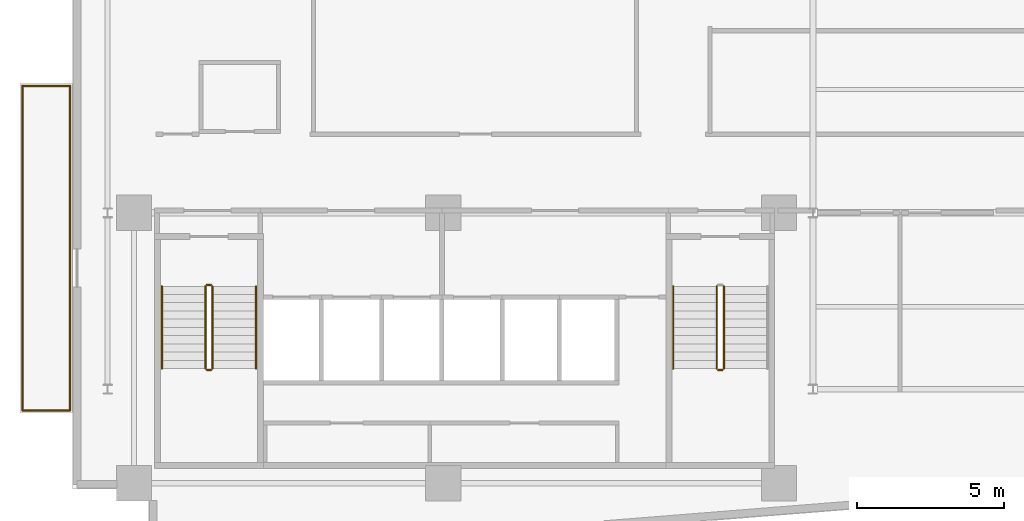
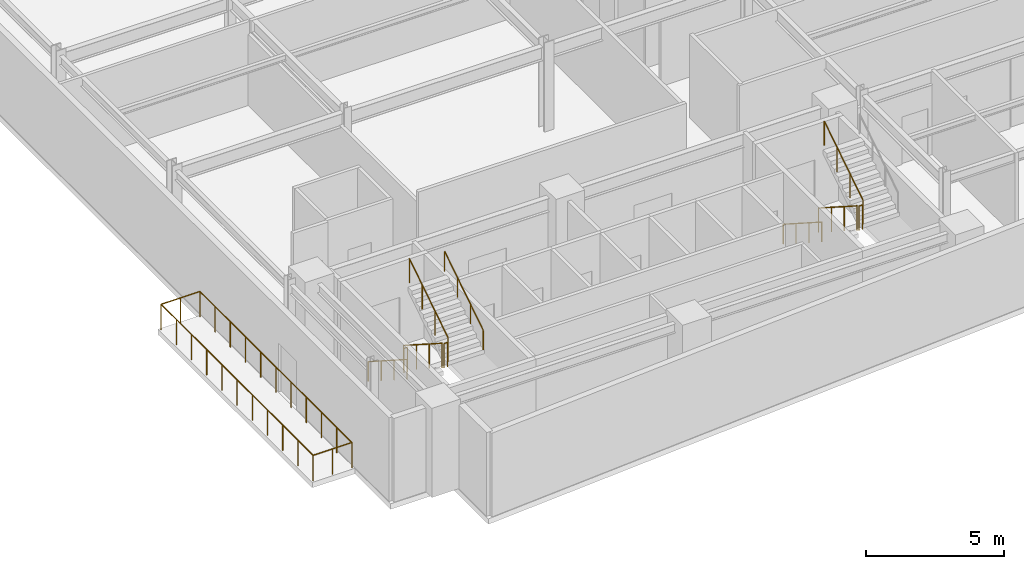
# One storey, part 14 of 18: 14 railings.
"""IFC4 building model written with IfcOpenShell, lengths in metres."""

from ifc_helpers import new_model, si_unit, direction, frame, origin, origin_2d, place, context, subcontext, project, spatial, circle, extrude, material, type_object, element, save


model = new_model("IFC4")

# Units and contexts
model_context = context("Model", 3, precision=1e-05, world=origin(), true_north=direction((0.0, 1.0)))
body_context = subcontext(model_context, "Body", "Model", "MODEL_VIEW")
ifc_project = project(units=[si_unit("LENGTHUNIT", "METRE"), si_unit("AREAUNIT", "SQUARE_METRE"), si_unit("VOLUMEUNIT", "CUBIC_METRE"), si_unit("PLANEANGLEUNIT", "RADIAN"), si_unit("MASSUNIT", "GRAM", prefix="KILO")], contexts=[model_context])

# Site, building, storey
site_placement = place(None, origin())
site = spatial("IfcSite", under=ifc_project, at=site_placement, CompositionType="ELEMENT")
building_placement = place(site_placement, origin())
building = spatial("IfcBuilding", under=site, at=building_placement, Name="Varnakote Quay Hospital", CompositionType="ELEMENT")
storey_placement = place(building_placement, frame((0.0, 0.0, 138.89990234375)))
storey = spatial("IfcBuildingStorey", under=building, at=storey_placement, Name="L34", CompositionType="ELEMENT", Elevation=138.89990234375)

# Railings
ifc_material_1 = material(Name="Anodised aluminium 6063-T6 Bronze", Category="aluminium")
railing_type_1 = type_object("IfcRailingType", Name="RLG-EXT-GUARD-1150", PredefinedType="GUARDRAIL", material=ifc_material_1)
railing_1_placement = place(storey_placement, frame((-0.075927734375, 5.280029296875, 0.0)))
element("IfcRailing", 1, at=railing_1_placement, inside=storey, type_object=railing_type_1, Name="L34 Zigzag Prow Healing Terrace Safety Guard", PredefinedType="GUARDRAIL", context=body_context, shape_type="SweptSolid", body=[
    extrude(circle(Radius=0.02392578125, at=origin_2d()), frame((0.0, 0.0, 1.1259765625), z_axis=(-1.0, 0.0, 0.0), x_axis=(0.0, -1.0, 0.0)), (0.0, 0.0, 1.0), 1.6240234375),
    extrude(circle(Radius=0.02099609375, at=origin_2d()), origin(), (0.0, 0.0, 1.0), 1.101806640625),
    extrude(circle(Radius=0.02099609375, at=origin_2d()), frame((-0.81201171875, 0.0, 0.0)), (0.0, 0.0, 1.0), 1.101806640625),
    extrude(circle(Radius=0.02099609375, at=origin_2d()), frame((-1.6240234375, 0.0, 0.0)), (0.0, 0.0, 1.0), 1.101806640625),
])
railing_2_placement = place(storey_placement, frame((-1.699951171875, 5.280029296875, 0.0)))
element("IfcRailing", 2, at=railing_2_placement, inside=storey, type_object=railing_type_1, Name="L34 Zigzag Prow Healing Terrace Safety Guard", PredefinedType="GUARDRAIL", context=body_context, shape_type="SweptSolid", body=[
    extrude(circle(Radius=0.02392578125, at=origin_2d()), frame((0.0, 0.0, 1.1259765625), z_axis=(0.0, 1.0, 0.0), x_axis=(-1.0, 0.0, 0.0)), (0.0, 0.0, 1.0), 11.0400390625),
    extrude(circle(Radius=0.02099609375, at=origin_2d()), origin(), (0.0, 0.0, 1.0), 1.101806640625),
    extrude(circle(Radius=0.02099609375, at=origin_2d()), frame((0.0, 1.10400390625, 0.0)), (0.0, 0.0, 1.0), 1.101806640625),
    extrude(circle(Radius=0.02099609375, at=origin_2d()), frame((0.0, 2.2080078125, 0.0)), (0.0, 0.0, 1.0), 1.101806640625),
    extrude(circle(Radius=0.02099609375, at=origin_2d()), frame((0.0, 3.31201171875, 0.0)), (0.0, 0.0, 1.0), 1.101806640625),
    extrude(circle(Radius=0.02099609375, at=origin_2d()), frame((0.0, 4.416015625, 0.0)), (0.0, 0.0, 1.0), 1.101806640625),
    extrude(circle(Radius=0.02099609375, at=origin_2d()), frame((0.0, 5.52001953125, 0.0)), (0.0, 0.0, 1.0), 1.101806640625),
    extrude(circle(Radius=0.02099609375, at=origin_2d()), frame((0.0, 6.6240234375, 0.0)), (0.0, 0.0, 1.0), 1.101806640625),
    extrude(circle(Radius=0.02099609375, at=origin_2d()), frame((0.0, 7.72802734375, 0.0)), (0.0, 0.0, 1.0), 1.101806640625),
    extrude(circle(Radius=0.02099609375, at=origin_2d()), frame((0.0, 8.83203125, 0.0)), (0.0, 0.0, 1.0), 1.101806640625),
    extrude(circle(Radius=0.02099609375, at=origin_2d()), frame((0.0, 9.93603515625, 0.0)), (0.0, 0.0, 1.0), 1.101806640625),
    extrude(circle(Radius=0.02099609375, at=origin_2d()), frame((0.0, 11.0400390625, 0.0)), (0.0, 0.0, 1.0), 1.101806640625),
])
railing_3_placement = place(storey_placement, frame((-1.699951171875, 16.320068359375, 0.0)))
element("IfcRailing", 3, at=railing_3_placement, inside=storey, type_object=railing_type_1, Name="L34 Zigzag Prow Healing Terrace Safety Guard", PredefinedType="GUARDRAIL", context=body_context, shape_type="SweptSolid", body=[
    extrude(circle(Radius=0.02392578125, at=origin_2d()), frame((0.0, 0.0, 1.1259765625), z_axis=(1.0, 0.0, 0.0), x_axis=(0.0, 1.0, 0.0)), (0.0, 0.0, 1.0), 1.6240234375),
    extrude(circle(Radius=0.02099609375, at=origin_2d()), origin(), (0.0, 0.0, 1.0), 1.101806640625),
    extrude(circle(Radius=0.02099609375, at=origin_2d()), frame((0.81201171875, 0.0, 0.0)), (0.0, 0.0, 1.0), 1.101806640625),
    extrude(circle(Radius=0.02099609375, at=origin_2d()), frame((1.6240234375, 0.0, 0.0)), (0.0, 0.0, 1.0), 1.101806640625),
])
railing_4_placement = place(storey_placement, frame((-0.075927734375, 16.320068359375, 0.0)))
element("IfcRailing", 4, at=railing_4_placement, inside=storey, type_object=railing_type_1, Name="L34 Zigzag Prow Healing Terrace Safety Guard", PredefinedType="GUARDRAIL", context=body_context, shape_type="SweptSolid", body=[
    extrude(circle(Radius=0.02392578125, at=origin_2d()), frame((0.0, 0.0, 1.1259765625), z_axis=(0.0, -1.0, 0.0), x_axis=(1.0, 0.0, 0.0)), (0.0, 0.0, 1.0), 11.0400390625),
    extrude(circle(Radius=0.02099609375, at=origin_2d()), origin(), (0.0, 0.0, 1.0), 1.101806640625),
    extrude(circle(Radius=0.02099609375, at=origin_2d()), frame((0.0, -1.10400390625, 0.0)), (0.0, 0.0, 1.0), 1.101806640625),
    extrude(circle(Radius=0.02099609375, at=origin_2d()), frame((0.0, -2.2080078125, 0.0)), (0.0, 0.0, 1.0), 1.101806640625),
    extrude(circle(Radius=0.02099609375, at=origin_2d()), frame((0.0, -3.31201171875, 0.0)), (0.0, 0.0, 1.0), 1.101806640625),
    extrude(circle(Radius=0.02099609375, at=origin_2d()), frame((0.0, -4.416015625, 0.0)), (0.0, 0.0, 1.0), 1.101806640625),
    extrude(circle(Radius=0.02099609375, at=origin_2d()), frame((0.0, -5.52001953125, 0.0)), (0.0, 0.0, 1.0), 1.101806640625),
    extrude(circle(Radius=0.02099609375, at=origin_2d()), frame((0.0, -6.6240234375, 0.0)), (0.0, 0.0, 1.0), 1.101806640625),
    extrude(circle(Radius=0.02099609375, at=origin_2d()), frame((0.0, -7.72802734375, 0.0)), (0.0, 0.0, 1.0), 1.101806640625),
    extrude(circle(Radius=0.02099609375, at=origin_2d()), frame((0.0, -8.83203125, 0.0)), (0.0, 0.0, 1.0), 1.101806640625),
    extrude(circle(Radius=0.02099609375, at=origin_2d()), frame((0.0, -9.93603515625, 0.0)), (0.0, 0.0, 1.0), 1.101806640625),
    extrude(circle(Radius=0.02099609375, at=origin_2d()), frame((0.0, -11.0400390625, 0.0)), (0.0, 0.0, 1.0), 1.101806640625),
])
ifc_material_2 = material(Name="Brushed stainless steel balustrade", Category="steel")
railing_type_2 = type_object("IfcRailingType", Name="RLG-STAIR-GUARD-1150", PredefinedType="GUARDRAIL", material=ifc_material_2)
railing_5_placement = place(storey_placement, frame((4.530029296875, 9.5, 0.1796875)))
element("IfcRailing", 5, at=railing_5_placement, inside=storey, type_object=railing_type_2, Name="L34 ST-01 stair guard 1", PredefinedType="GUARDRAIL", context=body_context, shape_type="SweptSolid", body=[
    extrude(circle(Radius=0.02392578125, at=origin_2d()), frame((0.0, 0.0, 1.076171875), z_axis=(0.0, -0.841809871826, 0.539774156196), x_axis=(1.0, 0.0, 0.0)), (0.0, 0.0, 1.0), 3.326171875),
    extrude(circle(Radius=0.02099609375, at=origin_2d()), origin(), (0.0, 0.0, 1.0), 1.052001953125),
    extrude(circle(Radius=0.02099609375, at=origin_2d()), frame((0.0, -0.933349609375, 0.598388671875)), (0.0, 0.0, 1.0), 1.052001953125),
    extrude(circle(Radius=0.02099609375, at=origin_2d()), frame((0.0, -1.86669921875, 1.197021484375)), (0.0, 0.0, 1.0), 1.052001953125),
    extrude(circle(Radius=0.02099609375, at=origin_2d()), frame((0.0, -2.800048828125, 1.79541015625)), (0.0, 0.0, 1.0), 1.052001953125),
])
railing_6_placement = place(storey_placement, frame((4.580078125, 6.64990234375, 1.97509765625)))
element("IfcRailing", 6, at=railing_6_placement, inside=storey, type_object=railing_type_2, Name="L34 ST-01 stair guard 2", PredefinedType="GUARDRAIL", context=body_context, shape_type="SweptSolid", body=[
    extrude(circle(Radius=0.02392578125, at=origin_2d()), frame((0.0, 0.0, 1.076171875), z_axis=(1.0, 0.0, 0.0), x_axis=(0.0, 1.0, 0.0)), (0.0, 0.0, 1.0), 0.139892578125),
    extrude(circle(Radius=0.02099609375, at=origin_2d()), origin(), (0.0, 0.0, 1.0), 1.052001953125),
    extrude(circle(Radius=0.02099609375, at=origin_2d()), frame((0.139892578125, 0.0, 0.0)), (0.0, 0.0, 1.0), 1.052001953125),
])
railing_7_placement = place(storey_placement, frame((4.77001953125, 6.699951171875, 2.154541015625)))
element("IfcRailing", 7, at=railing_7_placement, inside=storey, type_object=railing_type_2, Name="L34 ST-01 stair guard 3", PredefinedType="GUARDRAIL", context=body_context, shape_type="SweptSolid", body=[
    extrude(circle(Radius=0.02392578125, at=origin_2d()), frame((0.0, 0.0, 1.076171875), z_axis=(0.0, 0.841776520102, 0.539826166654), x_axis=(-1.0, 0.0, 0.0)), (0.0, 0.0, 1.0), 3.326416015625),
    extrude(circle(Radius=0.02099609375, at=origin_2d()), origin(), (0.0, 0.0, 1.0), 1.052001953125),
    extrude(circle(Radius=0.02099609375, at=origin_2d()), frame((0.0, 0.933349609375, 0.5986328125)), (0.0, 0.0, 1.0), 1.052001953125),
    extrude(circle(Radius=0.02099609375, at=origin_2d()), frame((0.0, 1.86669921875, 1.197021484375)), (0.0, 0.0, 1.0), 1.052001953125),
    extrude(circle(Radius=0.02099609375, at=origin_2d()), frame((0.0, 2.800048828125, 1.795654296875)), (0.0, 0.0, 1.0), 1.052001953125),
])
railing_8_placement = place(storey_placement, frame((4.580078125, 9.550048828125, 0.0)))
element("IfcRailing", 8, at=railing_8_placement, inside=storey, type_object=railing_type_2, Name="L34 ST-01 stair guard 4", PredefinedType="GUARDRAIL", context=body_context, shape_type="SweptSolid", body=[
    extrude(circle(Radius=0.02392578125, at=origin_2d()), frame((0.0, 0.0, 1.076171875), z_axis=(1.0, 0.0, 0.0), x_axis=(0.0, 1.0, 0.0)), (0.0, 0.0, 1.0), 0.139892578125),
    extrude(circle(Radius=0.02099609375, at=origin_2d()), origin(), (0.0, 0.0, 1.0), 1.052001953125),
    extrude(circle(Radius=0.02099609375, at=origin_2d()), frame((0.139892578125, 0.0, 0.0)), (0.0, 0.0, 1.0), 1.052001953125),
])
railing_9_placement = place(storey_placement, frame((21.929931640625, 9.5, 0.1796875)))
element("IfcRailing", 9, at=railing_9_placement, inside=storey, type_object=railing_type_2, Name="L34 ST-02 stair guard 1", PredefinedType="GUARDRAIL", context=body_context, shape_type="SweptSolid", body=[
    extrude(circle(Radius=0.02392578125, at=origin_2d()), frame((0.0, 0.0, 1.076171875), z_axis=(0.0, -0.841809871826, 0.539774156196), x_axis=(1.0, 0.0, 0.0)), (0.0, 0.0, 1.0), 3.326171875),
    extrude(circle(Radius=0.02099609375, at=origin_2d()), origin(), (0.0, 0.0, 1.0), 1.052001953125),
    extrude(circle(Radius=0.02099609375, at=origin_2d()), frame((0.0, -0.933349609375, 0.598388671875)), (0.0, 0.0, 1.0), 1.052001953125),
    extrude(circle(Radius=0.02099609375, at=origin_2d()), frame((0.0, -1.86669921875, 1.197021484375)), (0.0, 0.0, 1.0), 1.052001953125),
    extrude(circle(Radius=0.02099609375, at=origin_2d()), frame((0.0, -2.800048828125, 1.79541015625)), (0.0, 0.0, 1.0), 1.052001953125),
])
railing_10_placement = place(storey_placement, frame((21.97998046875, 6.64990234375, 1.97509765625)))
element("IfcRailing", 10, at=railing_10_placement, inside=storey, type_object=railing_type_2, Name="L34 ST-02 stair guard 2", PredefinedType="GUARDRAIL", context=body_context, shape_type="SweptSolid", body=[
    extrude(circle(Radius=0.02392578125, at=origin_2d()), frame((0.0, 0.0, 1.076171875), z_axis=(1.0, 0.0, 0.0), x_axis=(0.0, 1.0, 0.0)), (0.0, 0.0, 1.0), 0.14013671875),
    extrude(circle(Radius=0.02099609375, at=origin_2d()), origin(), (0.0, 0.0, 1.0), 1.052001953125),
    extrude(circle(Radius=0.02099609375, at=origin_2d()), frame((0.14013671875, 0.0, 0.0)), (0.0, 0.0, 1.0), 1.052001953125),
])
railing_11_placement = place(storey_placement, frame((22.169921875, 6.699951171875, 2.154541015625)))
element("IfcRailing", 11, at=railing_11_placement, inside=storey, type_object=railing_type_2, Name="L34 ST-02 stair guard 3", PredefinedType="GUARDRAIL", context=body_context, shape_type="SweptSolid", body=[
    extrude(circle(Radius=0.02392578125, at=origin_2d()), frame((0.0, 0.0, 1.076171875), z_axis=(0.0, 0.841776520102, 0.539826166654), x_axis=(-1.0, 0.0, 0.0)), (0.0, 0.0, 1.0), 3.326416015625),
    extrude(circle(Radius=0.02099609375, at=origin_2d()), origin(), (0.0, 0.0, 1.0), 1.052001953125),
    extrude(circle(Radius=0.02099609375, at=origin_2d()), frame((0.0, 0.933349609375, 0.5986328125)), (0.0, 0.0, 1.0), 1.052001953125),
    extrude(circle(Radius=0.02099609375, at=origin_2d()), frame((0.0, 1.86669921875, 1.197021484375)), (0.0, 0.0, 1.0), 1.052001953125),
    extrude(circle(Radius=0.02099609375, at=origin_2d()), frame((0.0, 2.800048828125, 1.795654296875)), (0.0, 0.0, 1.0), 1.052001953125),
])
ifc_material_3 = material(Name="Brushed stainless steel handrail", Category="steel")
railing_type_3 = type_object("IfcRailingType", Name="RLG-STAIR-HND-920", PredefinedType="HANDRAIL", material=ifc_material_3)
railing_12_placement = place(storey_placement, frame((3.050048828125, 9.5, 0.1796875)))
element("IfcRailing", 12, at=railing_12_placement, inside=storey, type_object=railing_type_3, Name="L34 ST-01 stair handrail 1", PredefinedType="HANDRAIL", context=body_context, shape_type="SweptSolid", body=[
    extrude(circle(Radius=0.02392578125, at=origin_2d()), frame((0.0, 0.0, 0.8759765625), z_axis=(0.0, -0.841809871826, 0.539774156196), x_axis=(1.0, 0.0, 0.0)), (0.0, 0.0, 1.0), 3.326171875),
    extrude(circle(Radius=0.02099609375, at=origin_2d()), origin(), (0.0, 0.0, 1.0), 0.851806640625),
    extrude(circle(Radius=0.02099609375, at=origin_2d()), frame((0.0, -0.933349609375, 0.598388671875)), (0.0, 0.0, 1.0), 0.851806640625),
    extrude(circle(Radius=0.02099609375, at=origin_2d()), frame((0.0, -1.86669921875, 1.197021484375)), (0.0, 0.0, 1.0), 0.851806640625),
    extrude(circle(Radius=0.02099609375, at=origin_2d()), frame((0.0, -2.800048828125, 1.79541015625)), (0.0, 0.0, 1.0), 0.851806640625),
])
railing_13_placement = place(storey_placement, frame((6.25, 6.699951171875, 2.154541015625)))
element("IfcRailing", 13, at=railing_13_placement, inside=storey, type_object=railing_type_3, Name="L34 ST-01 stair handrail 2", PredefinedType="HANDRAIL", context=body_context, shape_type="SweptSolid", body=[
    extrude(circle(Radius=0.02392578125, at=origin_2d()), frame((0.0, 0.0, 0.8759765625), z_axis=(0.0, 0.841776520102, 0.539826166654), x_axis=(-1.0, 0.0, 0.0)), (0.0, 0.0, 1.0), 3.326416015625),
    extrude(circle(Radius=0.02099609375, at=origin_2d()), origin(), (0.0, 0.0, 1.0), 0.851806640625),
    extrude(circle(Radius=0.02099609375, at=origin_2d()), frame((0.0, 0.933349609375, 0.5986328125)), (0.0, 0.0, 1.0), 0.851806640625),
    extrude(circle(Radius=0.02099609375, at=origin_2d()), frame((0.0, 1.86669921875, 1.197021484375)), (0.0, 0.0, 1.0), 0.851806640625),
    extrude(circle(Radius=0.02099609375, at=origin_2d()), frame((0.0, 2.800048828125, 1.795654296875)), (0.0, 0.0, 1.0), 0.851806640625),
])
railing_14_placement = place(storey_placement, frame((20.449951171875, 9.5, 0.1796875)))
element("IfcRailing", 14, at=railing_14_placement, inside=storey, type_object=railing_type_3, Name="L34 ST-02 stair handrail 1", PredefinedType="HANDRAIL", context=body_context, shape_type="SweptSolid", body=[
    extrude(circle(Radius=0.02392578125, at=origin_2d()), frame((0.0, 0.0, 0.8759765625), z_axis=(0.0, -0.841809871826, 0.539774156196), x_axis=(1.0, 0.0, 0.0)), (0.0, 0.0, 1.0), 3.326171875),
    extrude(circle(Radius=0.02099609375, at=origin_2d()), origin(), (0.0, 0.0, 1.0), 0.851806640625),
    extrude(circle(Radius=0.02099609375, at=origin_2d()), frame((0.0, -0.933349609375, 0.598388671875)), (0.0, 0.0, 1.0), 0.851806640625),
    extrude(circle(Radius=0.02099609375, at=origin_2d()), frame((0.0, -1.86669921875, 1.197021484375)), (0.0, 0.0, 1.0), 0.851806640625),
    extrude(circle(Radius=0.02099609375, at=origin_2d()), frame((0.0, -2.800048828125, 1.79541015625)), (0.0, 0.0, 1.0), 0.851806640625),
])

save(model, "model.ifc")
